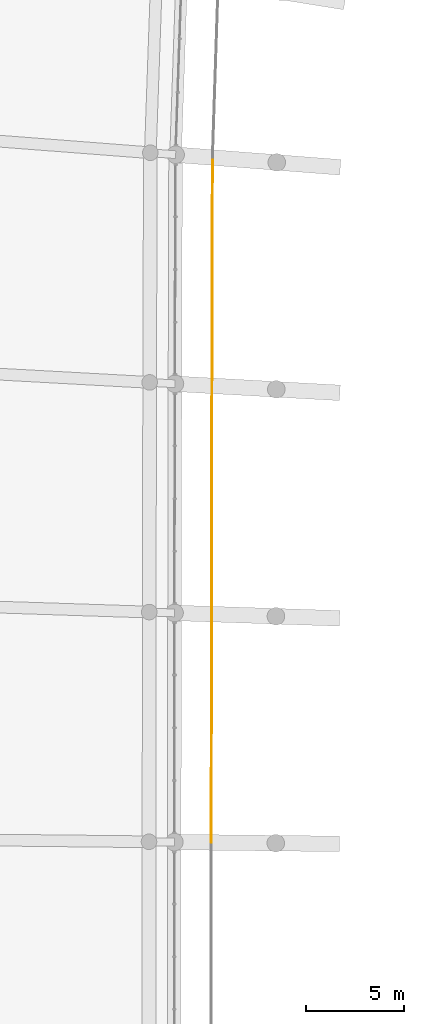
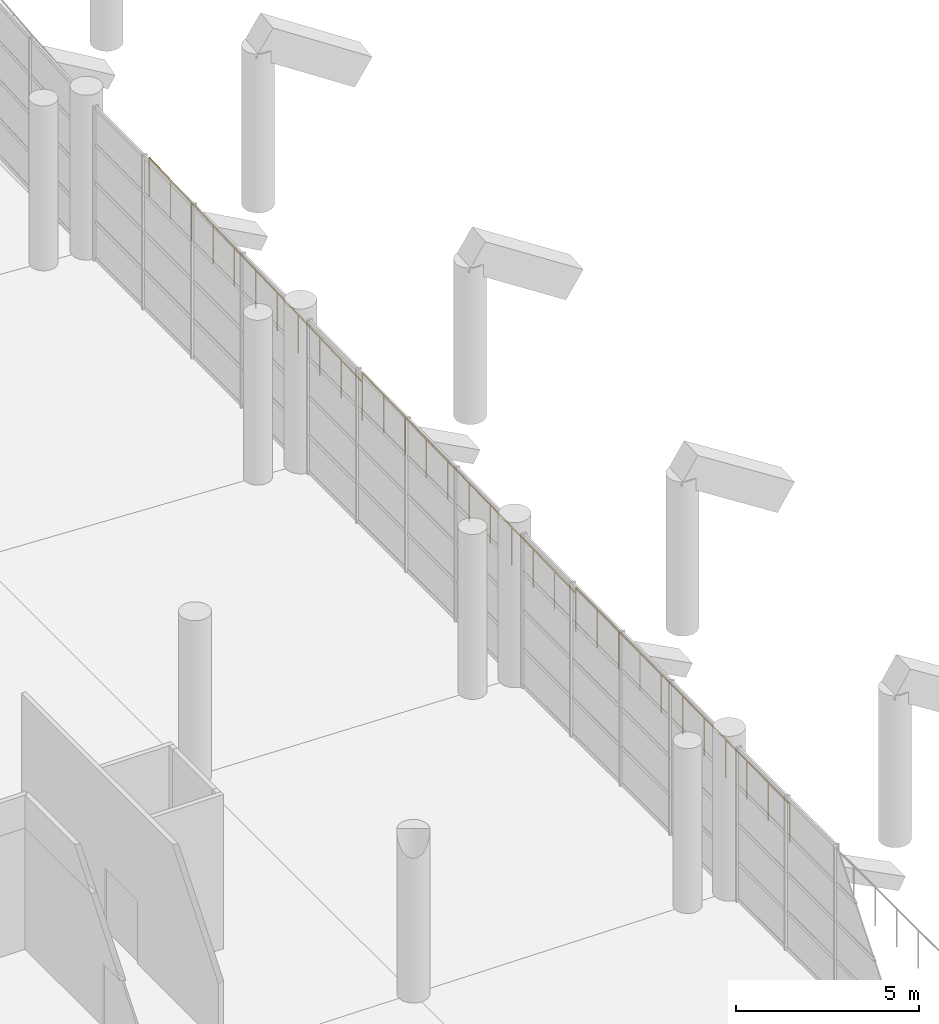
# One storey, part 251 of 271: 3 railings.
"""IFC4 building model written with IfcOpenShell, lengths in metres."""

from ifc_helpers import new_model, si_unit, direction, frame, origin, origin_2d, place, context, subcontext, project, spatial, circle, extrude, material, type_object, element, save


model = new_model("IFC4")

# Units and contexts
model_context = context("Model", 3, precision=1e-05, world=origin(), true_north=direction((0.0, 1.0)))
body_context = subcontext(model_context, "Body", "Model", "MODEL_VIEW")
ifc_project = project(units=[si_unit("LENGTHUNIT", "METRE"), si_unit("AREAUNIT", "SQUARE_METRE"), si_unit("VOLUMEUNIT", "CUBIC_METRE"), si_unit("PLANEANGLEUNIT", "RADIAN"), si_unit("MASSUNIT", "GRAM", prefix="KILO")], contexts=[model_context])

# Site, building, storey
site_placement = place(None, origin())
site = spatial("IfcSite", under=ifc_project, at=site_placement, CompositionType="ELEMENT")
building_placement = place(site_placement, origin())
building = spatial("IfcBuilding", under=site, at=building_placement, Name="Meseta Stadium", CompositionType="ELEMENT")
storey_placement = place(building_placement, frame((0.0, 0.0, 6.5)))
storey = spatial("IfcBuildingStorey", under=building, at=storey_placement, Name="L01", CompositionType="ELEMENT", Elevation=6.5)

# Railings
ifc_material = material(Name="Steel S355", Category="steel")
railing_type = type_object("IfcRailingType", Name="Stand rear guard 1300", PredefinedType="GUARDRAIL", material=ifc_material)
railing_1_placement = place(storey_placement, frame((-61.639404296875, 40.959228515625, 1.24462890625)))
element("IfcRailing", 1, at=railing_1_placement, inside=storey, type_object=railing_type, Name="Stand lower tier rear guard bay 30", PredefinedType="GUARDRAIL", context=body_context, shape_type="SweptSolid", body=[
    extrude(circle(Radius=0.02490234375, at=origin_2d()), frame((0.0, 0.0, 1.27490234375), z_axis=(-0.002523357505, -0.999478968055, -0.032178021735), x_axis=(0.999996813029, -0.002524664894, 0.0)), (0.0, 0.0, 1.0), 11.70703125),
    extrude(circle(Radius=0.02001953125, at=origin_2d()), origin(), (0.0, 0.0, 1.0), 1.25),
    extrude(circle(Radius=0.02001953125, at=origin_2d()), frame((-0.0029296875, -1.170166015625, -0.03759765625)), (0.0, 0.0, 1.0), 1.25),
    extrude(circle(Radius=0.02001953125, at=origin_2d()), frame((-0.005859375, -2.340087890625, -0.075439453125)), (0.0, 0.0, 1.0), 1.25),
    extrude(circle(Radius=0.02001953125, at=origin_2d()), frame((-0.0087890625, -3.51025390625, -0.113037109375)), (0.0, 0.0, 1.0), 1.25),
    extrude(circle(Radius=0.02001953125, at=origin_2d()), frame((-0.01171875, -4.680419921875, -0.150634765625)), (0.0, 0.0, 1.0), 1.25),
    extrude(circle(Radius=0.02001953125, at=origin_2d()), frame((-0.0146484375, -5.8505859375, -0.1884765625)), (0.0, 0.0, 1.0), 1.25),
    extrude(circle(Radius=0.02001953125, at=origin_2d()), frame((-0.017822265625, -7.0205078125, -0.22607421875)), (0.0, 0.0, 1.0), 1.25),
    extrude(circle(Radius=0.02001953125, at=origin_2d()), frame((-0.020751953125, -8.190673828125, -0.263671875)), (0.0, 0.0, 1.0), 1.25),
    extrude(circle(Radius=0.02001953125, at=origin_2d()), frame((-0.023681640625, -9.36083984375, -0.30126953125)), (0.0, 0.0, 1.0), 1.25),
    extrude(circle(Radius=0.02001953125, at=origin_2d()), frame((-0.026611328125, -10.53076171875, -0.339111328125)), (0.0, 0.0, 1.0), 1.25),
    extrude(circle(Radius=0.02001953125, at=origin_2d()), frame((-0.029541015625, -11.700927734375, -0.376708984375)), (0.0, 0.0, 1.0), 1.25),
])
railing_2_placement = place(storey_placement, frame((-61.6689453125, 29.25830078125, 1.18212890625)))
element("IfcRailing", 2, at=railing_2_placement, inside=storey, type_object=railing_type, Name="Stand lower tier rear guard bay 31", PredefinedType="GUARDRAIL", context=body_context, shape_type="SweptSolid", body=[
    extrude(circle(Radius=0.02490234375, at=origin_2d()), frame((0.0, 0.0, 1.27490234375), z_axis=(-0.001689431111, -0.999767788681, -0.021482889438), x_axis=(0.999998572251, -0.001689821095, 0.0)), (0.0, 0.0, 1.0), 11.705322265625),
    extrude(circle(Radius=0.02001953125, at=origin_2d()), origin(), (0.0, 0.0, 1.0), 1.25),
    extrude(circle(Radius=0.02001953125, at=origin_2d()), frame((-0.001953125, -1.170166015625, -0.025146484375)), (0.0, 0.0, 1.0), 1.25),
    extrude(circle(Radius=0.02001953125, at=origin_2d()), frame((-0.00390625, -2.340576171875, -0.05029296875)), (0.0, 0.0, 1.0), 1.25),
    extrude(circle(Radius=0.02001953125, at=origin_2d()), frame((-0.005859375, -3.5107421875, -0.075439453125)), (0.0, 0.0, 1.0), 1.25),
    extrude(circle(Radius=0.02001953125, at=origin_2d()), frame((-0.0078125, -4.68115234375, -0.1005859375)), (0.0, 0.0, 1.0), 1.25),
    extrude(circle(Radius=0.02001953125, at=origin_2d()), frame((-0.009765625, -5.851318359375, -0.125732421875)), (0.0, 0.0, 1.0), 1.25),
    extrude(circle(Radius=0.02001953125, at=origin_2d()), frame((-0.011962890625, -7.021484375, -0.15087890625)), (0.0, 0.0, 1.0), 1.25),
    extrude(circle(Radius=0.02001953125, at=origin_2d()), frame((-0.013916015625, -8.19189453125, -0.176025390625)), (0.0, 0.0, 1.0), 1.25),
    extrude(circle(Radius=0.02001953125, at=origin_2d()), frame((-0.015869140625, -9.362060546875, -0.201171875)), (0.0, 0.0, 1.0), 1.25),
    extrude(circle(Radius=0.02001953125, at=origin_2d()), frame((-0.017822265625, -10.532470703125, -0.226318359375)), (0.0, 0.0, 1.0), 1.25),
    extrude(circle(Radius=0.02001953125, at=origin_2d()), frame((-0.019775390625, -11.70263671875, -0.25146484375)), (0.0, 0.0, 1.0), 1.25),
])
railing_3_placement = place(storey_placement, frame((-61.688720703125, 17.5556640625, 1.119384765625)))
element("IfcRailing", 3, at=railing_3_placement, inside=storey, type_object=railing_type, Name="Stand lower tier rear guard bay 32", PredefinedType="GUARDRAIL", context=body_context, shape_type="SweptSolid", body=[
    extrude(circle(Radius=0.02490234375, at=origin_2d()), frame((0.0, 0.0, 1.27490234375), z_axis=(-0.000855221537, -0.999941708545, -0.010763275932), x_axis=(0.999999634256, -0.000855271079, 0.0)), (0.0, 0.0, 1.0), 11.704345703125),
    extrude(circle(Radius=0.02001953125, at=origin_2d()), origin(), (0.0, 0.0, 1.0), 1.25),
    extrude(circle(Radius=0.02001953125, at=origin_2d()), frame((-0.0009765625, -1.17041015625, -0.0126953125)), (0.0, 0.0, 1.0), 1.25),
    extrude(circle(Radius=0.02001953125, at=origin_2d()), frame((-0.001953125, -2.3408203125, -0.025146484375)), (0.0, 0.0, 1.0), 1.25),
    extrude(circle(Radius=0.02001953125, at=origin_2d()), frame((-0.0029296875, -3.510986328125, -0.037841796875)), (0.0, 0.0, 1.0), 1.25),
    extrude(circle(Radius=0.02001953125, at=origin_2d()), frame((-0.00390625, -4.681396484375, -0.05029296875)), (0.0, 0.0, 1.0), 1.25),
    extrude(circle(Radius=0.02001953125, at=origin_2d()), frame((-0.0048828125, -5.851806640625, -0.06298828125)), (0.0, 0.0, 1.0), 1.25),
    extrude(circle(Radius=0.02001953125, at=origin_2d()), frame((-0.006103515625, -7.022216796875, -0.07568359375)), (0.0, 0.0, 1.0), 1.25),
    extrude(circle(Radius=0.02001953125, at=origin_2d()), frame((-0.007080078125, -8.192626953125, -0.088134765625)), (0.0, 0.0, 1.0), 1.25),
    extrude(circle(Radius=0.02001953125, at=origin_2d()), frame((-0.008056640625, -9.36279296875, -0.100830078125)), (0.0, 0.0, 1.0), 1.25),
    extrude(circle(Radius=0.02001953125, at=origin_2d()), frame((-0.009033203125, -10.533203125, -0.11328125)), (0.0, 0.0, 1.0), 1.25),
    extrude(circle(Radius=0.02001953125, at=origin_2d()), frame((-0.010009765625, -11.70361328125, -0.1259765625)), (0.0, 0.0, 1.0), 1.25),
])

save(model, "model.ifc")
